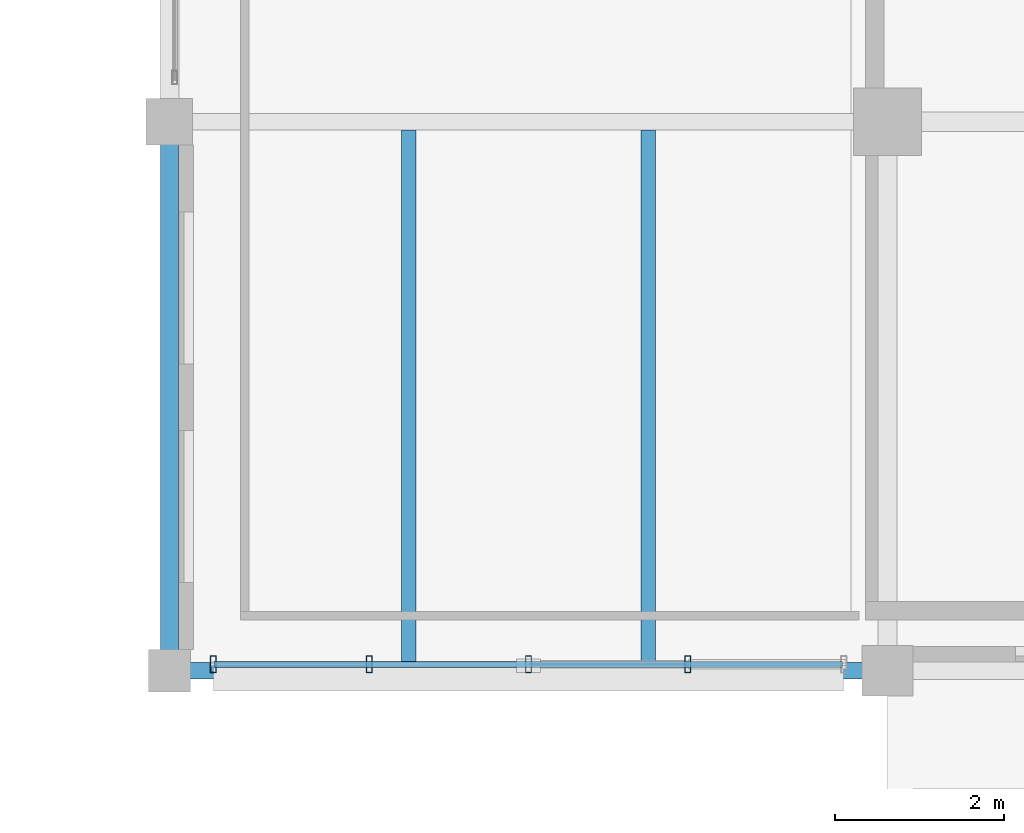
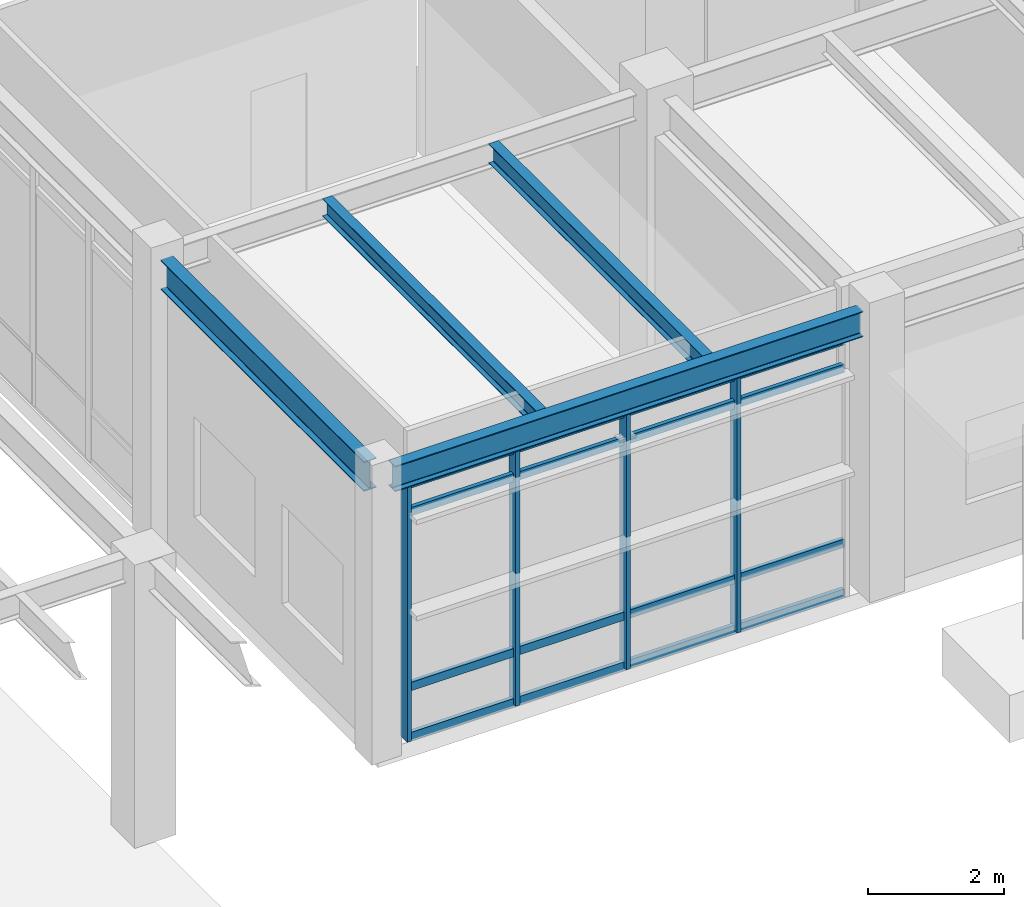
# One storey, part 105 of 203: 8 members, 4 beams, 1 element without a shape of its own.
"""IFC4 building model written with IfcOpenShell, lengths in metres."""

from ifc_helpers import new_model, si_unit, direction, frame, origin, origin_2d, place, context, subcontext, project, spatial, hollow_rectangle, i_section, extrude, material, material_profile, profile_set, type_object, element, aggregate, save


model = new_model("IFC4")

# Units and contexts
model_context = context("Model", 3, precision=1e-05, world=origin(), true_north=direction((0.0, 1.0)))
body_context = subcontext(model_context, "Body", "Model", "MODEL_VIEW")
ifc_project = project(units=[si_unit("LENGTHUNIT", "METRE"), si_unit("AREAUNIT", "SQUARE_METRE"), si_unit("VOLUMEUNIT", "CUBIC_METRE"), si_unit("PLANEANGLEUNIT", "RADIAN"), si_unit("MASSUNIT", "GRAM", prefix="KILO"), si_unit("THERMODYNAMICTEMPERATUREUNIT", "KELVIN"), si_unit("POWERUNIT", "WATT")], contexts=[model_context])

# Site, building, storey
site_placement = place(None, origin())
site = spatial("IfcSite", under=ifc_project, at=site_placement, CompositionType="ELEMENT")
building_placement = place(site_placement, origin())
building = spatial("IfcBuilding", under=site, at=building_placement, Name="Tepalcoro Natatorium and Aquatics Centre", CompositionType="ELEMENT")
storey_placement = place(building_placement, origin())
storey = spatial("IfcBuildingStorey", under=building, at=storey_placement, Name="L00", CompositionType="ELEMENT", Elevation=0.0)

# Curtain wall, members
ifc_material_1 = material(Name="Bronze-Anodised Extruded Aluminium Alloy EN AW-6063 T6", Category="aluminium")
curtain_wall_type = type_object("IfcCurtainWallType", Name="CW_V2_DIVING", PredefinedType="USERDEFINED", material=ifc_material_1)
curtain_wall_placement = place(storey_placement, origin())
curtain_wall = element("IfcCurtainWall", 1, at=curtain_wall_placement, inside=storey, type_object=curtain_wall_type, Name="V2 L00 S Unitised Curtain Wall Bay 1", ObjectType="FACETED SOLAR GLAZING", PredefinedType="USERDEFINED")
ifc_material_profile_1 = material_profile(ifc_material_1, hollow_rectangle(XDim=0.070068359375, YDim=0.199951171875, WallThickness=0.0048828125, at=origin_2d()), Name="AL70X200X5")
ifc_profile_set_1 = profile_set([ifc_material_profile_1], Name="Bronze-Anodised Extruded Aluminium Alloy EN AW-6063 T6")
member_type_1 = type_object("IfcMemberType", Name="CW_MUL_70x200", PredefinedType="MULLION", material=ifc_profile_set_1)
member_1_placement = place(storey_placement, frame((142.52001953125, 6.576171875, 0.02001953125), z_axis=(0.0, 0.0, 1.0), x_axis=(1.0, 0.0, 0.0)))
member_1 = element("IfcMember", 2, at=member_1_placement, type_object=member_type_1, Name="CW_V2_DIVING Curtain Wall Mullion", PredefinedType="MULLION", context=body_context, shape_type="SweptSolid", body=[
    extrude(hollow_rectangle(XDim=0.070068359375, YDim=0.199951171875, WallThickness=0.0048828125, at=origin_2d()), origin(), (0.0, 0.0, 1.0), 4.60986328125),
])
member_2_placement = place(storey_placement, frame((144.364990234375, 6.576171875, 0.02001953125), z_axis=(0.0, 0.0, 1.0), x_axis=(1.0, 0.0, 0.0)))
member_2 = element("IfcMember", 3, at=member_2_placement, type_object=member_type_1, Name="CW_V2_DIVING Curtain Wall Mullion", PredefinedType="MULLION", context=body_context, shape_type="SweptSolid", body=[
    extrude(hollow_rectangle(XDim=0.070068359375, YDim=0.199951171875, WallThickness=0.0048828125, at=origin_2d()), origin(), (0.0, 0.0, 1.0), 4.60986328125),
])
member_3_placement = place(storey_placement, frame((146.25, 6.576171875, 0.02001953125), z_axis=(0.0, 0.0, 1.0), x_axis=(1.0, 0.0, 0.0)))
member_3 = element("IfcMember", 4, at=member_3_placement, type_object=member_type_1, Name="CW_V2_DIVING Curtain Wall Mullion", PredefinedType="MULLION", context=body_context, shape_type="SweptSolid", body=[
    extrude(hollow_rectangle(XDim=0.070068359375, YDim=0.199951171875, WallThickness=0.0048828125, at=origin_2d()), origin(), (0.0, 0.0, 1.0), 4.60986328125),
])
member_4_placement = place(storey_placement, frame((148.135009765625, 6.576171875, 0.02001953125), z_axis=(0.0, 0.0, 1.0), x_axis=(1.0, 0.0, 0.0)))
member_4 = element("IfcMember", 5, at=member_4_placement, type_object=member_type_1, Name="CW_V2_DIVING Curtain Wall Mullion", PredefinedType="MULLION", context=body_context, shape_type="SweptSolid", body=[
    extrude(hollow_rectangle(XDim=0.070068359375, YDim=0.199951171875, WallThickness=0.0048828125, at=origin_2d()), origin(), (0.0, 0.0, 1.0), 4.60986328125),
])
ifc_material_profile_2 = material_profile(ifc_material_1, hollow_rectangle(XDim=0.070068359375, YDim=0.14990234375, WallThickness=0.00390625, at=origin_2d()), Name="AL70X150X4")
ifc_profile_set_2 = profile_set([ifc_material_profile_2], Name="Bronze-Anodised Extruded Aluminium Alloy EN AW-6063 T6")
member_type_2 = type_object("IfcMemberType", Name="CW_TRN_70x150", PredefinedType="USERDEFINED", material=ifc_profile_set_2)
member_5_placement = place(storey_placement, frame((142.530029296875, 6.576171875, 0.050048828125), z_axis=(1.0, 0.0, 0.0), x_axis=(0.0, 1.0, 0.0)))
member_5 = element("IfcMember", 6, at=member_5_placement, type_object=member_type_2, Name="CW_V2_DIVING Curtain Wall Transom", ObjectType="TRANSOM", PredefinedType="USERDEFINED", context=body_context, shape_type="SweptSolid", body=[
    extrude(hollow_rectangle(XDim=0.070068359375, YDim=0.14990234375, WallThickness=0.00390625, at=origin_2d()), origin(), (0.0, 0.0, 1.0), 7.43994140625),
])
member_6_placement = place(storey_placement, frame((142.530029296875, 6.576171875, 0.949951171875), z_axis=(1.0, 0.0, 0.0), x_axis=(0.0, 1.0, 0.0)))
member_6 = element("IfcMember", 7, at=member_6_placement, type_object=member_type_2, Name="CW_V2_DIVING Curtain Wall Transom", ObjectType="TRANSOM", PredefinedType="USERDEFINED", context=body_context, shape_type="SweptSolid", body=[
    extrude(hollow_rectangle(XDim=0.070068359375, YDim=0.14990234375, WallThickness=0.00390625, at=origin_2d()), origin(), (0.0, 0.0, 1.0), 7.43994140625),
])
member_7_placement = place(storey_placement, frame((142.530029296875, 6.576171875, 4.10009765625), z_axis=(1.0, 0.0, 0.0), x_axis=(0.0, 1.0, 0.0)))
member_7 = element("IfcMember", 8, at=member_7_placement, type_object=member_type_2, Name="CW_V2_DIVING Curtain Wall Transom", ObjectType="TRANSOM", PredefinedType="USERDEFINED", context=body_context, shape_type="SweptSolid", body=[
    extrude(hollow_rectangle(XDim=0.070068359375, YDim=0.14990234375, WallThickness=0.00390625, at=origin_2d()), origin(), (0.0, 0.0, 1.0), 7.43994140625),
])
member_8_placement = place(storey_placement, frame((142.530029296875, 6.576171875, 4.60009765625), z_axis=(1.0, 0.0, 0.0), x_axis=(0.0, 1.0, 0.0)))
member_8 = element("IfcMember", 9, at=member_8_placement, type_object=member_type_2, Name="CW_V2_DIVING Curtain Wall Transom", ObjectType="TRANSOM", PredefinedType="USERDEFINED", context=body_context, shape_type="SweptSolid", body=[
    extrude(hollow_rectangle(XDim=0.070068359375, YDim=0.14990234375, WallThickness=0.00390625, at=origin_2d()), origin(), (0.0, 0.0, 1.0), 7.43994140625),
])
aggregate(curtain_wall, [member_1, member_2, member_3, member_4, member_5, member_6, member_7, member_8])

# Beams
ifc_material_2 = material(Name="Steel ASTM A992 Grade 50 (Fy 345 MPa)", Category="steel")
ifc_material_profile_3 = material_profile(ifc_material_2, i_section(OverallWidth=0.1669921875, OverallDepth=0.318115234375, WebThickness=0.008056640625, FlangeThickness=0.012939453125, FilletRadius=0.013916015625, at=origin_2d()), Name="W12X35")
ifc_profile_set_3 = profile_set([ifc_material_profile_3], Name="Steel ASTM A992 Grade 50 (Fy 345 MPa)")
beam_type_1 = type_object("IfcBeamType", Name="JS_W12x35", PredefinedType="JOIST", material=ifc_profile_set_3)
beam_1_placement = place(storey_placement, frame((144.833251953125, 6.595458984375, 4.966064453125), z_axis=(0.0, 1.0, 0.0), x_axis=(-1.0, 0.0, 0.0)))
element("IfcBeam", 10, at=beam_1_placement, inside=storey, type_object=beam_type_1, Name="V2 L00 Floor Joist", PredefinedType="JOIST", context=body_context, shape_type="SweptSolid", body=[
    extrude(i_section(OverallWidth=0.1669921875, OverallDepth=0.318115234375, WebThickness=0.008056640625, FlangeThickness=0.012939453125, FilletRadius=0.013916015625, at=origin_2d()), origin(), (0.0, 0.0, 1.0), 6.30810546875),
])
ifc_material_profile_4 = material_profile(ifc_material_2, i_section(OverallWidth=0.1708984375, OverallDepth=0.35107421875, WebThickness=0.007080078125, FlangeThickness=0.010009765625, FilletRadius=0.013916015625, at=origin_2d()), Name="W14X30")
ifc_profile_set_4 = profile_set([ifc_material_profile_4], Name="Steel ASTM A992 Grade 50 (Fy 345 MPa)")
beam_type_2 = type_object("IfcBeamType", Name="JS_W14x30", PredefinedType="JOIST", material=ifc_profile_set_4)
beam_2_placement = place(storey_placement, frame((147.666748046875, 6.595458984375, 4.949462890625), z_axis=(0.0, 1.0, 0.0), x_axis=(-1.0, 0.0, 0.0)))
element("IfcBeam", 11, at=beam_2_placement, inside=storey, type_object=beam_type_2, Name="V2 L00 Floor Joist", PredefinedType="JOIST", context=body_context, shape_type="SweptSolid", body=[
    extrude(i_section(OverallWidth=0.1708984375, OverallDepth=0.35107421875, WebThickness=0.007080078125, FlangeThickness=0.010009765625, FilletRadius=0.013916015625, at=origin_2d()), origin(), (0.0, 0.0, 1.0), 6.30810546875),
])
ifc_material_profile_5 = material_profile(ifc_material_2, i_section(OverallWidth=0.19091796875, OverallDepth=0.4599609375, WebThickness=0.010009765625, FlangeThickness=0.01611328125, FilletRadius=0.013916015625, at=origin_2d()), Name="W18X55")
ifc_profile_set_5 = profile_set([ifc_material_profile_5], Name="Steel ASTM A992 Grade 50 (Fy 345 MPa)")
beam_type_3 = type_object("IfcBeamType", Name="SP_W18x55", PredefinedType="SPANDREL", material=ifc_profile_set_5)
beam_3_placement = place(storey_placement, frame((142.235107421875, 6.5, 4.89501953125), z_axis=(1.0, 0.0, 0.0), x_axis=(0.0, 1.0, 0.0)))
element("IfcBeam", 12, at=beam_3_placement, inside=storey, type_object=beam_type_3, Name="V2 L00 Grid Girder X", PredefinedType="SPANDREL", context=body_context, shape_type="SweptSolid", body=[
    extrude(i_section(OverallWidth=0.19091796875, OverallDepth=0.4599609375, WebThickness=0.010009765625, FlangeThickness=0.01611328125, FilletRadius=0.013916015625, at=origin_2d()), origin(), (0.0, 0.0, 1.0), 7.97998046875),
])
ifc_material_profile_6 = material_profile(ifc_material_2, i_section(OverallWidth=0.2099609375, OverallDepth=0.535888671875, WebThickness=0.010986328125, FlangeThickness=0.01708984375, FilletRadius=0.013916015625, at=origin_2d()), Name="W21X68")
ifc_profile_set_6 = profile_set([ifc_material_profile_6], Name="Steel ASTM A992 Grade 50 (Fy 345 MPa)")
beam_type_4 = type_object("IfcBeamType", Name="SP_W21x68", PredefinedType="SPANDREL", material=ifc_profile_set_6)
beam_4_placement = place(storey_placement, frame((142.0, 6.735107421875, 4.85693359375), z_axis=(0.0, 1.0, 0.0), x_axis=(-1.0, 0.0, 0.0)))
element("IfcBeam", 13, at=beam_4_placement, inside=storey, type_object=beam_type_4, Name="V2 L00 Grid Girder Y", PredefinedType="SPANDREL", context=body_context, shape_type="SweptSolid", body=[
    extrude(i_section(OverallWidth=0.2099609375, OverallDepth=0.535888671875, WebThickness=0.010986328125, FlangeThickness=0.01708984375, FilletRadius=0.013916015625, at=origin_2d()), origin(), (0.0, 0.0, 1.0), 6.0048828125),
])

save(model, "model.ifc")
